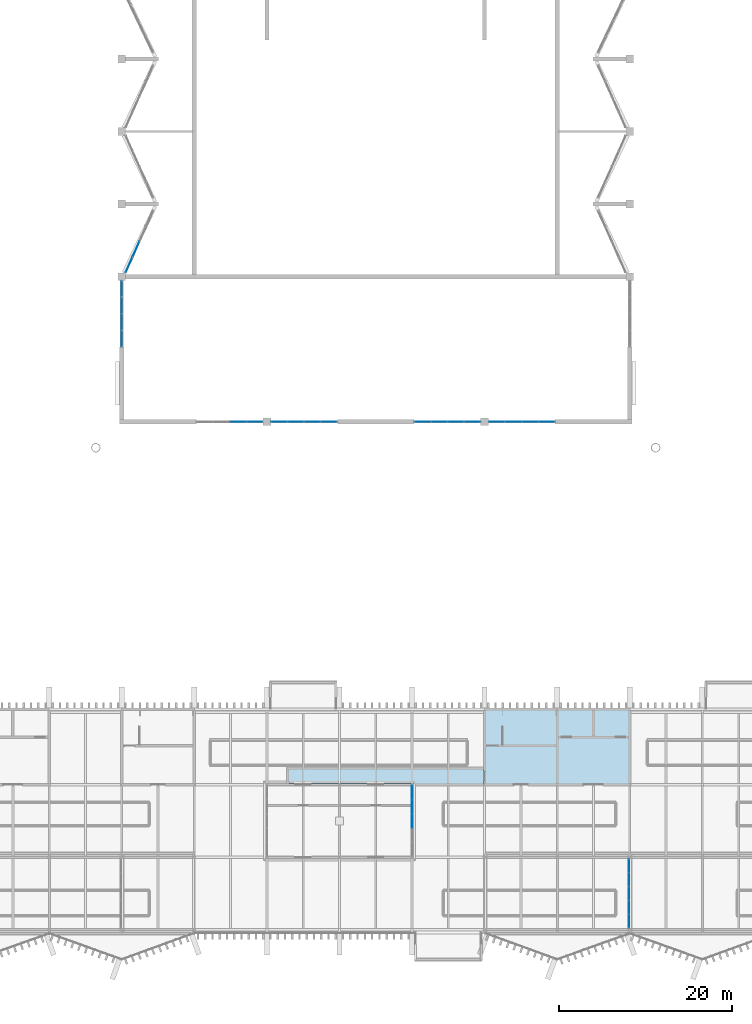
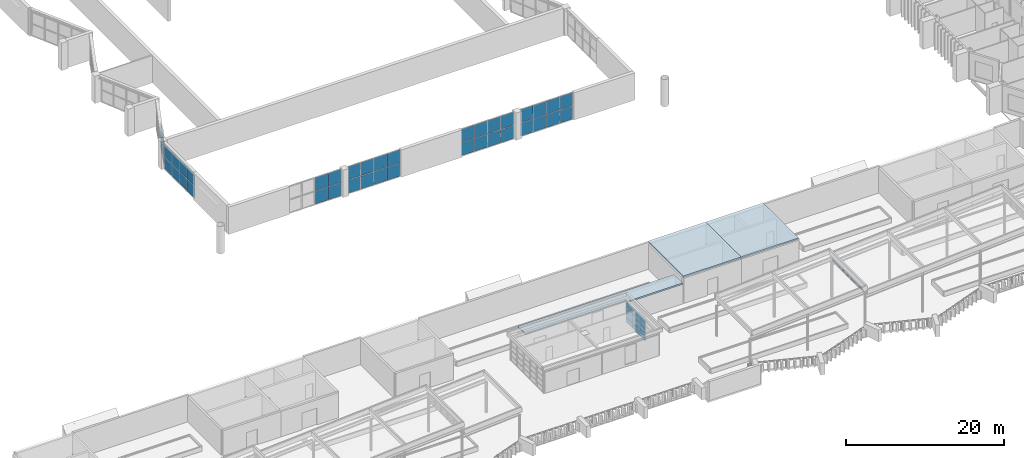
# One storey, part 29 of 51: 62 plates, 3 slabs, 8 elements without a shape of their own.
"""IFC4 building model written with IfcOpenShell, lengths in metres."""

from ifc_helpers import new_model, si_unit, direction, frame, origin, origin_2d, place, context, subcontext, project, spatial, polyline, rectangle, outline, extrude, material, layer, layer_set, type_object, element, aggregate, save


model = new_model("IFC4")

# Units and contexts
model_context = context("Model", 3, precision=1e-05, world=origin(), true_north=direction((0.0, 1.0)))
body_context = subcontext(model_context, "Body", "Model", "MODEL_VIEW")
ifc_project = project(units=[si_unit("LENGTHUNIT", "METRE"), si_unit("AREAUNIT", "SQUARE_METRE"), si_unit("VOLUMEUNIT", "CUBIC_METRE"), si_unit("PLANEANGLEUNIT", "RADIAN"), si_unit("MASSUNIT", "GRAM", prefix="KILO")], contexts=[model_context])

# Site, building, storey
site_placement = place(None, origin())
site = spatial("IfcSite", under=ifc_project, at=site_placement, CompositionType="ELEMENT")
building_placement = place(site_placement, origin())
building = spatial("IfcBuilding", under=site, at=building_placement, Name="Cresset Court Congress Hotel", CompositionType="ELEMENT")
storey_placement = place(building_placement, frame((0.0, 0.0, 18.60009765625)))
storey = spatial("IfcBuildingStorey", under=building, at=storey_placement, Name="L04", CompositionType="ELEMENT", Elevation=18.60009765625)

# Curtain wall, plates
ifc_material_1 = material(Name="Aluminium frame with double glazing", Category="aluminium")
ifc_layer_1 = layer(ifc_material_1, 0.199951171875)
ifc_layer_set_1 = layer_set([ifc_layer_1], Name="Glazed box curtain wall 1680 module")
curtain_wall_type_1 = type_object("IfcCurtainWallType", Name="Glazed box curtain wall 1680 module", PredefinedType="NOTDEFINED", material=ifc_layer_set_1)
curtain_wall_1_placement = place(storey_placement, origin())
curtain_wall_1 = element("IfcCurtainWall", 1, at=curtain_wall_1_placement, inside=storey, type_object=curtain_wall_type_1, Name="Roof light face 4", PredefinedType="NOTDEFINED")
ifc_material_2 = material(Name="Toughened double glazing", Category="glass")
ifc_layer_2 = layer(ifc_material_2, 0.028076171875)
ifc_layer_set_2 = layer_set([ifc_layer_2], Name="Box glass panel 28")
plate_type_1 = type_object("IfcPlateType", Name="Box glass panel 28", PredefinedType="CURTAIN_PANEL", material=ifc_layer_set_2)
plate_1_placement = place(storey_placement, frame((117.5, 1.014892578125, 5.9599609375), z_axis=(0.0, 0.0, 1.0), x_axis=(0.0, 1.0, 0.0)))
plate_1 = element("IfcPlate", 2, at=plate_1_placement, type_object=plate_type_1, Name="B-X1 panel 1.1", PredefinedType="CURTAIN_PANEL", context=body_context, shape_type="SweptSolid", body=[
    extrude(rectangle(XDim=1.510009765625, YDim=0.028076171875, at=origin_2d()), origin(), (0.0, 0.0, 1.0), 0.097900390625),
])
plate_2_placement = place(storey_placement, frame((117.5, 1.014892578125, 6.1181640625), z_axis=(0.0, 0.0, 1.0), x_axis=(0.0, 1.0, 0.0)))
plate_2 = element("IfcPlate", 3, at=plate_2_placement, type_object=plate_type_1, Name="B-X1 panel 1.2", PredefinedType="CURTAIN_PANEL", context=body_context, shape_type="SweptSolid", body=[
    extrude(rectangle(XDim=1.510009765625, YDim=0.028076171875, at=origin_2d()), origin(), (0.0, 0.0, 1.0), 0.097900390625),
])
plate_3_placement = place(storey_placement, frame((117.5, 2.60009765625, 5.9599609375), z_axis=(0.0, 0.0, 1.0), x_axis=(0.0, 1.0, 0.0)))
plate_3 = element("IfcPlate", 4, at=plate_3_placement, type_object=plate_type_1, Name="B-X1 panel 2.1", PredefinedType="CURTAIN_PANEL", context=body_context, shape_type="SweptSolid", body=[
    extrude(rectangle(XDim=1.5400390625, YDim=0.028076171875, at=origin_2d()), origin(), (0.0, 0.0, 1.0), 0.097900390625),
])
plate_4_placement = place(storey_placement, frame((117.5, 2.60009765625, 6.1181640625), z_axis=(0.0, 0.0, 1.0), x_axis=(0.0, 1.0, 0.0)))
plate_4 = element("IfcPlate", 5, at=plate_4_placement, type_object=plate_type_1, Name="B-X1 panel 2.2", PredefinedType="CURTAIN_PANEL", context=body_context, shape_type="SweptSolid", body=[
    extrude(rectangle(XDim=1.5400390625, YDim=0.028076171875, at=origin_2d()), origin(), (0.0, 0.0, 1.0), 0.097900390625),
])
plate_5_placement = place(storey_placement, frame((117.5, 4.199951171875, 5.9599609375), z_axis=(0.0, 0.0, 1.0), x_axis=(0.0, 1.0, 0.0)))
plate_5 = element("IfcPlate", 6, at=plate_5_placement, type_object=plate_type_1, Name="B-X1 panel 3.1", PredefinedType="CURTAIN_PANEL", context=body_context, shape_type="SweptSolid", body=[
    extrude(rectangle(XDim=1.5400390625, YDim=0.028076171875, at=origin_2d()), origin(), (0.0, 0.0, 1.0), 0.097900390625),
])
plate_6_placement = place(storey_placement, frame((117.5, 4.199951171875, 6.1181640625), z_axis=(0.0, 0.0, 1.0), x_axis=(0.0, 1.0, 0.0)))
plate_6 = element("IfcPlate", 7, at=plate_6_placement, type_object=plate_type_1, Name="B-X1 panel 3.2", PredefinedType="CURTAIN_PANEL", context=body_context, shape_type="SweptSolid", body=[
    extrude(rectangle(XDim=1.5400390625, YDim=0.028076171875, at=origin_2d()), origin(), (0.0, 0.0, 1.0), 0.097900390625),
])
plate_7_placement = place(storey_placement, frame((117.5, 5.800048828125, 5.9599609375), z_axis=(0.0, 0.0, 1.0), x_axis=(0.0, 1.0, 0.0)))
plate_7 = element("IfcPlate", 8, at=plate_7_placement, type_object=plate_type_1, Name="B-X1 panel 4.1", PredefinedType="CURTAIN_PANEL", context=body_context, shape_type="SweptSolid", body=[
    extrude(rectangle(XDim=1.5400390625, YDim=0.028076171875, at=origin_2d()), origin(), (0.0, 0.0, 1.0), 0.097900390625),
])
plate_8_placement = place(storey_placement, frame((117.5, 5.800048828125, 6.1181640625), z_axis=(0.0, 0.0, 1.0), x_axis=(0.0, 1.0, 0.0)))
plate_8 = element("IfcPlate", 9, at=plate_8_placement, type_object=plate_type_1, Name="B-X1 panel 4.2", PredefinedType="CURTAIN_PANEL", context=body_context, shape_type="SweptSolid", body=[
    extrude(rectangle(XDim=1.5400390625, YDim=0.028076171875, at=origin_2d()), origin(), (0.0, 0.0, 1.0), 0.097900390625),
])
plate_9_placement = place(storey_placement, frame((117.5, 7.385009765625, 5.9599609375), z_axis=(0.0, 0.0, 1.0), x_axis=(0.0, 1.0, 0.0)))
plate_9 = element("IfcPlate", 10, at=plate_9_placement, type_object=plate_type_1, Name="B-X1 panel 5.1", PredefinedType="CURTAIN_PANEL", context=body_context, shape_type="SweptSolid", body=[
    extrude(rectangle(XDim=1.510009765625, YDim=0.028076171875, at=origin_2d()), origin(), (0.0, 0.0, 1.0), 0.097900390625),
])
plate_10_placement = place(storey_placement, frame((117.5, 7.385009765625, 6.1181640625), z_axis=(0.0, 0.0, 1.0), x_axis=(0.0, 1.0, 0.0)))
plate_10 = element("IfcPlate", 11, at=plate_10_placement, type_object=plate_type_1, Name="B-X1 panel 5.2", PredefinedType="CURTAIN_PANEL", context=body_context, shape_type="SweptSolid", body=[
    extrude(rectangle(XDim=1.510009765625, YDim=0.028076171875, at=origin_2d()), origin(), (0.0, 0.0, 1.0), 0.097900390625),
])
aggregate(curtain_wall_1, [plate_1, plate_2, plate_3, plate_4, plate_5, plate_6, plate_7, plate_8, plate_9, plate_10])

ifc_material_3 = material(Name="Aluminium frame with double glazing", Category="aluminium")
ifc_layer_3 = layer(ifc_material_3, 0.199951171875)
ifc_layer_set_3 = layer_set([ifc_layer_3], Name="Pavilion curtain wall 1680 module")
curtain_wall_type_2 = type_object("IfcCurtainWallType", Name="Pavilion curtain wall 1680 module", PredefinedType="NOTDEFINED", material=ifc_layer_set_3)
curtain_wall_2_placement = place(storey_placement, origin())
curtain_wall_2 = element("IfcCurtainWall", 12, at=curtain_wall_2_placement, inside=storey, type_object=curtain_wall_type_2, Name="Pavilion glazed front E", PredefinedType="NOTDEFINED")
plate_11_placement = place(storey_placement, frame((92.39990234375, 12.60009765625, 0.06005859375), z_axis=(0.0, 0.0, 1.0), x_axis=(0.0, 1.0, 0.0)))
plate_11 = element("IfcPlate", 13, at=plate_11_placement, type_object=plate_type_1, Name="B-X2 panel 3.1", PredefinedType="CURTAIN_PANEL", context=body_context, shape_type="SweptSolid", body=[
    extrude(rectangle(XDim=1.58642578125, YDim=0.028076171875, at=origin_2d()), origin(), (0.0, 0.0, 1.0), 0.723388671875),
])
plate_12_placement = place(storey_placement, frame((92.39990234375, 12.60009765625, 0.843505859375), z_axis=(0.0, 0.0, 1.0), x_axis=(0.0, 1.0, 0.0)))
plate_12 = element("IfcPlate", 14, at=plate_12_placement, type_object=plate_type_1, Name="B-X2 panel 3.2", PredefinedType="CURTAIN_PANEL", context=body_context, shape_type="SweptSolid", body=[
    extrude(rectangle(XDim=1.58642578125, YDim=0.028076171875, at=origin_2d()), origin(), (0.0, 0.0, 1.0), 0.75341796875),
])
plate_13_placement = place(storey_placement, frame((92.39990234375, 12.60009765625, 1.656982421875), z_axis=(0.0, 0.0, 1.0), x_axis=(0.0, 1.0, 0.0)))
plate_13 = element("IfcPlate", 15, at=plate_13_placement, type_object=plate_type_1, Name="B-X2 panel 3.3", PredefinedType="CURTAIN_PANEL", context=body_context, shape_type="SweptSolid", body=[
    extrude(rectangle(XDim=1.58642578125, YDim=0.028076171875, at=origin_2d()), origin(), (0.0, 0.0, 1.0), 0.75341796875),
])
plate_14_placement = place(storey_placement, frame((92.39990234375, 12.60009765625, 2.47021484375), z_axis=(0.0, 0.0, 1.0), x_axis=(0.0, 1.0, 0.0)))
plate_14 = element("IfcPlate", 16, at=plate_14_placement, type_object=plate_type_1, Name="B-X2 panel 3.4", PredefinedType="CURTAIN_PANEL", context=body_context, shape_type="SweptSolid", body=[
    extrude(rectangle(XDim=1.58642578125, YDim=0.028076171875, at=origin_2d()), origin(), (0.0, 0.0, 1.0), 0.723388671875),
])
plate_15_placement = place(storey_placement, frame((92.39990234375, 14.246337890625, 0.06005859375), z_axis=(0.0, 0.0, 1.0), x_axis=(0.0, 1.0, 0.0)))
plate_15 = element("IfcPlate", 17, at=plate_15_placement, type_object=plate_type_1, Name="B-X2 panel 4.1", PredefinedType="CURTAIN_PANEL", context=body_context, shape_type="SweptSolid", body=[
    extrude(rectangle(XDim=1.58642578125, YDim=0.028076171875, at=origin_2d()), origin(), (0.0, 0.0, 1.0), 0.723388671875),
])
plate_16_placement = place(storey_placement, frame((92.39990234375, 14.246337890625, 0.843505859375), z_axis=(0.0, 0.0, 1.0), x_axis=(0.0, 1.0, 0.0)))
plate_16 = element("IfcPlate", 18, at=plate_16_placement, type_object=plate_type_1, Name="B-X2 panel 4.2", PredefinedType="CURTAIN_PANEL", context=body_context, shape_type="SweptSolid", body=[
    extrude(rectangle(XDim=1.58642578125, YDim=0.028076171875, at=origin_2d()), origin(), (0.0, 0.0, 1.0), 0.75341796875),
])
plate_17_placement = place(storey_placement, frame((92.39990234375, 14.246337890625, 1.656982421875), z_axis=(0.0, 0.0, 1.0), x_axis=(0.0, 1.0, 0.0)))
plate_17 = element("IfcPlate", 19, at=plate_17_placement, type_object=plate_type_1, Name="B-X2 panel 4.3", PredefinedType="CURTAIN_PANEL", context=body_context, shape_type="SweptSolid", body=[
    extrude(rectangle(XDim=1.58642578125, YDim=0.028076171875, at=origin_2d()), origin(), (0.0, 0.0, 1.0), 0.75341796875),
])
plate_18_placement = place(storey_placement, frame((92.39990234375, 14.246337890625, 2.47021484375), z_axis=(0.0, 0.0, 1.0), x_axis=(0.0, 1.0, 0.0)))
plate_18 = element("IfcPlate", 20, at=plate_18_placement, type_object=plate_type_1, Name="B-X2 panel 4.4", PredefinedType="CURTAIN_PANEL", context=body_context, shape_type="SweptSolid", body=[
    extrude(rectangle(XDim=1.58642578125, YDim=0.028076171875, at=origin_2d()), origin(), (0.0, 0.0, 1.0), 0.723388671875),
])
plate_19_placement = place(storey_placement, frame((92.39990234375, 15.877685546875, 0.06005859375), z_axis=(0.0, 0.0, 1.0), x_axis=(0.0, 1.0, 0.0)))
plate_19 = element("IfcPlate", 21, at=plate_19_placement, type_object=plate_type_1, Name="B-X2 panel 5.1", PredefinedType="CURTAIN_PANEL", context=body_context, shape_type="SweptSolid", body=[
    extrude(rectangle(XDim=1.556396484375, YDim=0.028076171875, at=origin_2d()), origin(), (0.0, 0.0, 1.0), 0.723388671875),
])
plate_20_placement = place(storey_placement, frame((92.39990234375, 15.877685546875, 0.843505859375), z_axis=(0.0, 0.0, 1.0), x_axis=(0.0, 1.0, 0.0)))
plate_20 = element("IfcPlate", 22, at=plate_20_placement, type_object=plate_type_1, Name="B-X2 panel 5.2", PredefinedType="CURTAIN_PANEL", context=body_context, shape_type="SweptSolid", body=[
    extrude(rectangle(XDim=1.556396484375, YDim=0.028076171875, at=origin_2d()), origin(), (0.0, 0.0, 1.0), 0.75341796875),
])
plate_21_placement = place(storey_placement, frame((92.39990234375, 15.877685546875, 1.656982421875), z_axis=(0.0, 0.0, 1.0), x_axis=(0.0, 1.0, 0.0)))
plate_21 = element("IfcPlate", 23, at=plate_21_placement, type_object=plate_type_1, Name="B-X2 panel 5.3", PredefinedType="CURTAIN_PANEL", context=body_context, shape_type="SweptSolid", body=[
    extrude(rectangle(XDim=1.556396484375, YDim=0.028076171875, at=origin_2d()), origin(), (0.0, 0.0, 1.0), 0.75341796875),
])
plate_22_placement = place(storey_placement, frame((92.39990234375, 15.877685546875, 2.47021484375), z_axis=(0.0, 0.0, 1.0), x_axis=(0.0, 1.0, 0.0)))
plate_22 = element("IfcPlate", 24, at=plate_22_placement, type_object=plate_type_1, Name="B-X2 panel 5.4", PredefinedType="CURTAIN_PANEL", context=body_context, shape_type="SweptSolid", body=[
    extrude(rectangle(XDim=1.556396484375, YDim=0.028076171875, at=origin_2d()), origin(), (0.0, 0.0, 1.0), 0.723388671875),
])
aggregate(curtain_wall_2, [plate_11, plate_12, plate_13, plate_14, plate_15, plate_16, plate_17, plate_18, plate_19, plate_20, plate_21, plate_22])

ifc_material_4 = material(Name="Aluminium and glass", Category="aluminium")
ifc_layer_4 = layer(ifc_material_4, 0.199951171875)
ifc_layer_set_4 = layer_set([ifc_layer_4], Name="Clerestory curtain wall 1925 module")
curtain_wall_type_3 = type_object("IfcCurtainWallType", Name="Clerestory curtain wall 1925 module", PredefinedType="NOTDEFINED", material=ifc_layer_set_4)
curtain_wall_3_placement = place(storey_placement, origin())
curtain_wall_3 = element("IfcCurtainWall", 25, at=curtain_wall_3_placement, inside=storey, type_object=curtain_wall_type_3, Name="Clerestory CX-04S1", PredefinedType="NOTDEFINED")
ifc_material_5 = material(Name="Laminated glass", Category="glass")
ifc_layer_5 = layer(ifc_material_5, 0.028076171875)
ifc_layer_set_5 = layer_set([ifc_layer_5], Name="Curtain wall glass panel 28")
plate_type_2 = type_object("IfcPlateType", Name="Curtain wall glass panel 28", PredefinedType="CURTAIN_PANEL", material=ifc_layer_set_5)
plate_23_placement = place(storey_placement, frame((72.262451171875, 58.800048828125, 0.06005859375), z_axis=(0.0, 0.0, 1.0), x_axis=(1.0, 0.0, 0.0)))
plate_23 = element("IfcPlate", 26, at=plate_23_placement, type_object=plate_type_2, Name="C-X5 panel 3.1", PredefinedType="CURTAIN_PANEL", context=body_context, shape_type="SweptSolid", body=[
    extrude(rectangle(XDim=1.864990234375, YDim=0.028076171875, at=origin_2d()), origin(), (0.0, 0.0, 1.0), 2.010009765625),
])
plate_24_placement = place(storey_placement, frame((72.262451171875, 58.800048828125, 2.1298828125), z_axis=(0.0, 0.0, 1.0), x_axis=(1.0, 0.0, 0.0)))
plate_24 = element("IfcPlate", 27, at=plate_24_placement, type_object=plate_type_2, Name="C-X5 panel 3.2", PredefinedType="CURTAIN_PANEL", context=body_context, shape_type="SweptSolid", body=[
    extrude(rectangle(XDim=1.864990234375, YDim=0.028076171875, at=origin_2d()), origin(), (0.0, 0.0, 1.0), 2.010009765625),
])
plate_25_placement = place(storey_placement, frame((74.172607421875, 58.800048828125, 0.06005859375), z_axis=(0.0, 0.0, 1.0), x_axis=(1.0, 0.0, 0.0)))
plate_25 = element("IfcPlate", 28, at=plate_25_placement, type_object=plate_type_2, Name="C-X5 panel 4.1", PredefinedType="CURTAIN_PANEL", context=body_context, shape_type="SweptSolid", body=[
    extrude(rectangle(XDim=1.8349609375, YDim=0.028076171875, at=origin_2d()), origin(), (0.0, 0.0, 1.0), 2.010009765625),
])
plate_26_placement = place(storey_placement, frame((74.172607421875, 58.800048828125, 2.1298828125), z_axis=(0.0, 0.0, 1.0), x_axis=(1.0, 0.0, 0.0)))
plate_26 = element("IfcPlate", 29, at=plate_26_placement, type_object=plate_type_2, Name="C-X5 panel 4.2", PredefinedType="CURTAIN_PANEL", context=body_context, shape_type="SweptSolid", body=[
    extrude(rectangle(XDim=1.8349609375, YDim=0.028076171875, at=origin_2d()), origin(), (0.0, 0.0, 1.0), 2.010009765625),
])
aggregate(curtain_wall_3, [plate_23, plate_24, plate_25, plate_26])

curtain_wall_4_placement = place(storey_placement, origin())
curtain_wall_4 = element("IfcCurtainWall", 30, at=curtain_wall_4_placement, inside=storey, type_object=curtain_wall_type_3, Name="Clerestory CX-04S2", PredefinedType="NOTDEFINED")
plate_27_placement = place(storey_placement, frame((77.027587890625, 58.800048828125, 0.06005859375), z_axis=(0.0, 0.0, 1.0), x_axis=(1.0, 0.0, 0.0)))
plate_27 = element("IfcPlate", 31, at=plate_27_placement, type_object=plate_type_2, Name="C-X5 panel 1.1", PredefinedType="CURTAIN_PANEL", context=body_context, shape_type="SweptSolid", body=[
    extrude(rectangle(XDim=1.8349609375, YDim=0.028076171875, at=origin_2d()), origin(), (0.0, 0.0, 1.0), 2.010009765625),
])
plate_28_placement = place(storey_placement, frame((77.027587890625, 58.800048828125, 2.1298828125), z_axis=(0.0, 0.0, 1.0), x_axis=(1.0, 0.0, 0.0)))
plate_28 = element("IfcPlate", 32, at=plate_28_placement, type_object=plate_type_2, Name="C-X5 panel 1.2", PredefinedType="CURTAIN_PANEL", context=body_context, shape_type="SweptSolid", body=[
    extrude(rectangle(XDim=1.8349609375, YDim=0.028076171875, at=origin_2d()), origin(), (0.0, 0.0, 1.0), 2.010009765625),
])
plate_29_placement = place(storey_placement, frame((78.9375, 58.800048828125, 0.06005859375), z_axis=(0.0, 0.0, 1.0), x_axis=(1.0, 0.0, 0.0)))
plate_29 = element("IfcPlate", 33, at=plate_29_placement, type_object=plate_type_2, Name="C-X5 panel 2.1", PredefinedType="CURTAIN_PANEL", context=body_context, shape_type="SweptSolid", body=[
    extrude(rectangle(XDim=1.864990234375, YDim=0.028076171875, at=origin_2d()), origin(), (0.0, 0.0, 1.0), 2.010009765625),
])
plate_30_placement = place(storey_placement, frame((78.9375, 58.800048828125, 2.1298828125), z_axis=(0.0, 0.0, 1.0), x_axis=(1.0, 0.0, 0.0)))
plate_30 = element("IfcPlate", 34, at=plate_30_placement, type_object=plate_type_2, Name="C-X5 panel 2.2", PredefinedType="CURTAIN_PANEL", context=body_context, shape_type="SweptSolid", body=[
    extrude(rectangle(XDim=1.864990234375, YDim=0.028076171875, at=origin_2d()), origin(), (0.0, 0.0, 1.0), 2.010009765625),
])
plate_31_placement = place(storey_placement, frame((80.862548828125, 58.800048828125, 0.06005859375), z_axis=(0.0, 0.0, 1.0), x_axis=(1.0, 0.0, 0.0)))
plate_31 = element("IfcPlate", 35, at=plate_31_placement, type_object=plate_type_2, Name="C-X5 panel 3.1", PredefinedType="CURTAIN_PANEL", context=body_context, shape_type="SweptSolid", body=[
    extrude(rectangle(XDim=1.864990234375, YDim=0.028076171875, at=origin_2d()), origin(), (0.0, 0.0, 1.0), 2.010009765625),
])
plate_32_placement = place(storey_placement, frame((80.862548828125, 58.800048828125, 2.1298828125), z_axis=(0.0, 0.0, 1.0), x_axis=(1.0, 0.0, 0.0)))
plate_32 = element("IfcPlate", 36, at=plate_32_placement, type_object=plate_type_2, Name="C-X5 panel 3.2", PredefinedType="CURTAIN_PANEL", context=body_context, shape_type="SweptSolid", body=[
    extrude(rectangle(XDim=1.864990234375, YDim=0.028076171875, at=origin_2d()), origin(), (0.0, 0.0, 1.0), 2.010009765625),
])
plate_33_placement = place(storey_placement, frame((82.7724609375, 58.800048828125, 0.06005859375), z_axis=(0.0, 0.0, 1.0), x_axis=(1.0, 0.0, 0.0)))
plate_33 = element("IfcPlate", 37, at=plate_33_placement, type_object=plate_type_2, Name="C-X5 panel 4.1", PredefinedType="CURTAIN_PANEL", context=body_context, shape_type="SweptSolid", body=[
    extrude(rectangle(XDim=1.8349609375, YDim=0.028076171875, at=origin_2d()), origin(), (0.0, 0.0, 1.0), 2.010009765625),
])
plate_34_placement = place(storey_placement, frame((82.7724609375, 58.800048828125, 2.1298828125), z_axis=(0.0, 0.0, 1.0), x_axis=(1.0, 0.0, 0.0)))
plate_34 = element("IfcPlate", 38, at=plate_34_placement, type_object=plate_type_2, Name="C-X5 panel 4.2", PredefinedType="CURTAIN_PANEL", context=body_context, shape_type="SweptSolid", body=[
    extrude(rectangle(XDim=1.8349609375, YDim=0.028076171875, at=origin_2d()), origin(), (0.0, 0.0, 1.0), 2.010009765625),
])
aggregate(curtain_wall_4, [plate_27, plate_28, plate_29, plate_30, plate_31, plate_32, plate_33, plate_34])

curtain_wall_5_placement = place(storey_placement, origin())
curtain_wall_5 = element("IfcCurtainWall", 39, at=curtain_wall_5_placement, inside=storey, type_object=curtain_wall_type_3, Name="Clerestory CX-04S3", PredefinedType="NOTDEFINED")
plate_35_placement = place(storey_placement, frame((93.62744140625, 58.800048828125, 0.06005859375), z_axis=(0.0, 0.0, 1.0), x_axis=(1.0, 0.0, 0.0)))
plate_35 = element("IfcPlate", 40, at=plate_35_placement, type_object=plate_type_2, Name="C-X5 panel 1.1", PredefinedType="CURTAIN_PANEL", context=body_context, shape_type="SweptSolid", body=[
    extrude(rectangle(XDim=1.8349609375, YDim=0.028076171875, at=origin_2d()), origin(), (0.0, 0.0, 1.0), 2.010009765625),
])
plate_36_placement = place(storey_placement, frame((93.62744140625, 58.800048828125, 2.1298828125), z_axis=(0.0, 0.0, 1.0), x_axis=(1.0, 0.0, 0.0)))
plate_36 = element("IfcPlate", 41, at=plate_36_placement, type_object=plate_type_2, Name="C-X5 panel 1.2", PredefinedType="CURTAIN_PANEL", context=body_context, shape_type="SweptSolid", body=[
    extrude(rectangle(XDim=1.8349609375, YDim=0.028076171875, at=origin_2d()), origin(), (0.0, 0.0, 1.0), 2.010009765625),
])
plate_37_placement = place(storey_placement, frame((95.53759765625, 58.800048828125, 0.06005859375), z_axis=(0.0, 0.0, 1.0), x_axis=(1.0, 0.0, 0.0)))
plate_37 = element("IfcPlate", 42, at=plate_37_placement, type_object=plate_type_2, Name="C-X5 panel 2.1", PredefinedType="CURTAIN_PANEL", context=body_context, shape_type="SweptSolid", body=[
    extrude(rectangle(XDim=1.864990234375, YDim=0.028076171875, at=origin_2d()), origin(), (0.0, 0.0, 1.0), 2.010009765625),
])
plate_38_placement = place(storey_placement, frame((95.53759765625, 58.800048828125, 2.1298828125), z_axis=(0.0, 0.0, 1.0), x_axis=(1.0, 0.0, 0.0)))
plate_38 = element("IfcPlate", 43, at=plate_38_placement, type_object=plate_type_2, Name="C-X5 panel 2.2", PredefinedType="CURTAIN_PANEL", context=body_context, shape_type="SweptSolid", body=[
    extrude(rectangle(XDim=1.864990234375, YDim=0.028076171875, at=origin_2d()), origin(), (0.0, 0.0, 1.0), 2.010009765625),
])
plate_39_placement = place(storey_placement, frame((97.46240234375, 58.800048828125, 0.06005859375), z_axis=(0.0, 0.0, 1.0), x_axis=(1.0, 0.0, 0.0)))
plate_39 = element("IfcPlate", 44, at=plate_39_placement, type_object=plate_type_2, Name="C-X5 panel 3.1", PredefinedType="CURTAIN_PANEL", context=body_context, shape_type="SweptSolid", body=[
    extrude(rectangle(XDim=1.864990234375, YDim=0.028076171875, at=origin_2d()), origin(), (0.0, 0.0, 1.0), 2.010009765625),
])
plate_40_placement = place(storey_placement, frame((97.46240234375, 58.800048828125, 2.1298828125), z_axis=(0.0, 0.0, 1.0), x_axis=(1.0, 0.0, 0.0)))
plate_40 = element("IfcPlate", 45, at=plate_40_placement, type_object=plate_type_2, Name="C-X5 panel 3.2", PredefinedType="CURTAIN_PANEL", context=body_context, shape_type="SweptSolid", body=[
    extrude(rectangle(XDim=1.864990234375, YDim=0.028076171875, at=origin_2d()), origin(), (0.0, 0.0, 1.0), 2.010009765625),
])
plate_41_placement = place(storey_placement, frame((99.37255859375, 58.800048828125, 0.06005859375), z_axis=(0.0, 0.0, 1.0), x_axis=(1.0, 0.0, 0.0)))
plate_41 = element("IfcPlate", 46, at=plate_41_placement, type_object=plate_type_2, Name="C-X5 panel 4.1", PredefinedType="CURTAIN_PANEL", context=body_context, shape_type="SweptSolid", body=[
    extrude(rectangle(XDim=1.8349609375, YDim=0.028076171875, at=origin_2d()), origin(), (0.0, 0.0, 1.0), 2.010009765625),
])
plate_42_placement = place(storey_placement, frame((99.37255859375, 58.800048828125, 2.1298828125), z_axis=(0.0, 0.0, 1.0), x_axis=(1.0, 0.0, 0.0)))
plate_42 = element("IfcPlate", 47, at=plate_42_placement, type_object=plate_type_2, Name="C-X5 panel 4.2", PredefinedType="CURTAIN_PANEL", context=body_context, shape_type="SweptSolid", body=[
    extrude(rectangle(XDim=1.8349609375, YDim=0.028076171875, at=origin_2d()), origin(), (0.0, 0.0, 1.0), 2.010009765625),
])
aggregate(curtain_wall_5, [plate_35, plate_36, plate_37, plate_38, plate_39, plate_40, plate_41, plate_42])

curtain_wall_6_placement = place(storey_placement, origin())
curtain_wall_6 = element("IfcCurtainWall", 48, at=curtain_wall_6_placement, inside=storey, type_object=curtain_wall_type_3, Name="Clerestory CX-04S4", PredefinedType="NOTDEFINED")
plate_43_placement = place(storey_placement, frame((102.2275390625, 58.800048828125, 0.06005859375), z_axis=(0.0, 0.0, 1.0), x_axis=(1.0, 0.0, 0.0)))
plate_43 = element("IfcPlate", 49, at=plate_43_placement, type_object=plate_type_2, Name="C-X5 panel 1.1", PredefinedType="CURTAIN_PANEL", context=body_context, shape_type="SweptSolid", body=[
    extrude(rectangle(XDim=1.8349609375, YDim=0.028076171875, at=origin_2d()), origin(), (0.0, 0.0, 1.0), 2.010009765625),
])
plate_44_placement = place(storey_placement, frame((102.2275390625, 58.800048828125, 2.1298828125), z_axis=(0.0, 0.0, 1.0), x_axis=(1.0, 0.0, 0.0)))
plate_44 = element("IfcPlate", 50, at=plate_44_placement, type_object=plate_type_2, Name="C-X5 panel 1.2", PredefinedType="CURTAIN_PANEL", context=body_context, shape_type="SweptSolid", body=[
    extrude(rectangle(XDim=1.8349609375, YDim=0.028076171875, at=origin_2d()), origin(), (0.0, 0.0, 1.0), 2.010009765625),
])
plate_45_placement = place(storey_placement, frame((104.137451171875, 58.800048828125, 0.06005859375), z_axis=(0.0, 0.0, 1.0), x_axis=(1.0, 0.0, 0.0)))
plate_45 = element("IfcPlate", 51, at=plate_45_placement, type_object=plate_type_2, Name="C-X5 panel 2.1", PredefinedType="CURTAIN_PANEL", context=body_context, shape_type="SweptSolid", body=[
    extrude(rectangle(XDim=1.864990234375, YDim=0.028076171875, at=origin_2d()), origin(), (0.0, 0.0, 1.0), 2.010009765625),
])
plate_46_placement = place(storey_placement, frame((104.137451171875, 58.800048828125, 2.1298828125), z_axis=(0.0, 0.0, 1.0), x_axis=(1.0, 0.0, 0.0)))
plate_46 = element("IfcPlate", 52, at=plate_46_placement, type_object=plate_type_2, Name="C-X5 panel 2.2", PredefinedType="CURTAIN_PANEL", context=body_context, shape_type="SweptSolid", body=[
    extrude(rectangle(XDim=1.864990234375, YDim=0.028076171875, at=origin_2d()), origin(), (0.0, 0.0, 1.0), 2.010009765625),
])
plate_47_placement = place(storey_placement, frame((106.0625, 58.800048828125, 0.06005859375), z_axis=(0.0, 0.0, 1.0), x_axis=(1.0, 0.0, 0.0)))
plate_47 = element("IfcPlate", 53, at=plate_47_placement, type_object=plate_type_2, Name="C-X5 panel 3.1", PredefinedType="CURTAIN_PANEL", context=body_context, shape_type="SweptSolid", body=[
    extrude(rectangle(XDim=1.864990234375, YDim=0.028076171875, at=origin_2d()), origin(), (0.0, 0.0, 1.0), 2.010009765625),
])
plate_48_placement = place(storey_placement, frame((106.0625, 58.800048828125, 2.1298828125), z_axis=(0.0, 0.0, 1.0), x_axis=(1.0, 0.0, 0.0)))
plate_48 = element("IfcPlate", 54, at=plate_48_placement, type_object=plate_type_2, Name="C-X5 panel 3.2", PredefinedType="CURTAIN_PANEL", context=body_context, shape_type="SweptSolid", body=[
    extrude(rectangle(XDim=1.864990234375, YDim=0.028076171875, at=origin_2d()), origin(), (0.0, 0.0, 1.0), 2.010009765625),
])
plate_49_placement = place(storey_placement, frame((107.972412109375, 58.800048828125, 0.06005859375), z_axis=(0.0, 0.0, 1.0), x_axis=(1.0, 0.0, 0.0)))
plate_49 = element("IfcPlate", 55, at=plate_49_placement, type_object=plate_type_2, Name="C-X5 panel 4.1", PredefinedType="CURTAIN_PANEL", context=body_context, shape_type="SweptSolid", body=[
    extrude(rectangle(XDim=1.8349609375, YDim=0.028076171875, at=origin_2d()), origin(), (0.0, 0.0, 1.0), 2.010009765625),
])
plate_50_placement = place(storey_placement, frame((107.972412109375, 58.800048828125, 2.1298828125), z_axis=(0.0, 0.0, 1.0), x_axis=(1.0, 0.0, 0.0)))
plate_50 = element("IfcPlate", 56, at=plate_50_placement, type_object=plate_type_2, Name="C-X5 panel 4.2", PredefinedType="CURTAIN_PANEL", context=body_context, shape_type="SweptSolid", body=[
    extrude(rectangle(XDim=1.8349609375, YDim=0.028076171875, at=origin_2d()), origin(), (0.0, 0.0, 1.0), 2.010009765625),
])
aggregate(curtain_wall_6, [plate_43, plate_44, plate_45, plate_46, plate_47, plate_48, plate_49, plate_50])

curtain_wall_7_placement = place(storey_placement, origin())
curtain_wall_7 = element("IfcCurtainWall", 57, at=curtain_wall_7_placement, inside=storey, type_object=curtain_wall_type_3, Name="Clerestory CX-04W4", PredefinedType="NOTDEFINED")
plate_51_placement = place(storey_placement, frame((60.447265625, 78.75, 0.06005859375), z_axis=(0.0, 0.0, 1.0), x_axis=(-0.405381009298, -0.914147820268, 0.0)))
plate_51 = element("IfcPlate", 58, at=plate_51_placement, type_object=plate_type_2, Name="C-X5 panel 3.1", PredefinedType="CURTAIN_PANEL", context=body_context, shape_type="SweptSolid", body=[
    extrude(rectangle(XDim=1.908935546875, YDim=0.028076171875, at=origin_2d()), origin(), (0.0, 0.0, 1.0), 1.781005859375),
])
plate_52_placement = place(storey_placement, frame((60.447265625, 78.75, 1.90087890625), z_axis=(0.0, 0.0, 1.0), x_axis=(-0.405381009298, -0.914147820268, 0.0)))
plate_52 = element("IfcPlate", 59, at=plate_52_placement, type_object=plate_type_2, Name="C-X5 panel 3.2", PredefinedType="CURTAIN_PANEL", context=body_context, shape_type="SweptSolid", body=[
    extrude(rectangle(XDim=1.908935546875, YDim=0.028076171875, at=origin_2d()), origin(), (0.0, 0.0, 1.0), 1.781005859375),
])
plate_53_placement = place(storey_placement, frame((59.6552734375, 76.963623046875, 0.06005859375), z_axis=(0.0, 0.0, 1.0), x_axis=(-0.405381009298, -0.914147820268, 0.0)))
plate_53 = element("IfcPlate", 60, at=plate_53_placement, type_object=plate_type_2, Name="C-X5 panel 4.1", PredefinedType="CURTAIN_PANEL", context=body_context, shape_type="SweptSolid", body=[
    extrude(rectangle(XDim=1.879150390625, YDim=0.028076171875, at=origin_2d()), origin(), (0.0, 0.0, 1.0), 1.781005859375),
])
plate_54_placement = place(storey_placement, frame((59.6552734375, 76.963623046875, 1.90087890625), z_axis=(0.0, 0.0, 1.0), x_axis=(-0.405381009298, -0.914147820268, 0.0)))
plate_54 = element("IfcPlate", 61, at=plate_54_placement, type_object=plate_type_2, Name="C-X5 panel 4.2", PredefinedType="CURTAIN_PANEL", context=body_context, shape_type="SweptSolid", body=[
    extrude(rectangle(XDim=1.879150390625, YDim=0.028076171875, at=origin_2d()), origin(), (0.0, 0.0, 1.0), 1.781005859375),
])
aggregate(curtain_wall_7, [plate_51, plate_52, plate_53, plate_54])

curtain_wall_8_placement = place(storey_placement, origin())
curtain_wall_8 = element("IfcCurtainWall", 62, at=curtain_wall_8_placement, inside=storey, type_object=curtain_wall_type_3, Name="Clerestory CX-04W5", PredefinedType="NOTDEFINED")
plate_55_placement = place(storey_placement, frame((58.800048828125, 74.172607421875, 0.06005859375), z_axis=(0.0, 0.0, 1.0), x_axis=(0.0, -1.0, 0.0)))
plate_55 = element("IfcPlate", 63, at=plate_55_placement, type_object=plate_type_2, Name="C-X5 panel 1.1", PredefinedType="CURTAIN_PANEL", context=body_context, shape_type="SweptSolid", body=[
    extrude(rectangle(XDim=1.8349609375, YDim=0.028076171875, at=origin_2d()), origin(), (0.0, 0.0, 1.0), 1.781005859375),
])
plate_56_placement = place(storey_placement, frame((58.800048828125, 74.172607421875, 1.90087890625), z_axis=(0.0, 0.0, 1.0), x_axis=(0.0, -1.0, 0.0)))
plate_56 = element("IfcPlate", 64, at=plate_56_placement, type_object=plate_type_2, Name="C-X5 panel 1.2", PredefinedType="CURTAIN_PANEL", context=body_context, shape_type="SweptSolid", body=[
    extrude(rectangle(XDim=1.8349609375, YDim=0.028076171875, at=origin_2d()), origin(), (0.0, 0.0, 1.0), 1.781005859375),
])
plate_57_placement = place(storey_placement, frame((58.800048828125, 72.262451171875, 0.06005859375), z_axis=(0.0, 0.0, 1.0), x_axis=(0.0, -1.0, 0.0)))
plate_57 = element("IfcPlate", 65, at=plate_57_placement, type_object=plate_type_2, Name="C-X5 panel 2.1", PredefinedType="CURTAIN_PANEL", context=body_context, shape_type="SweptSolid", body=[
    extrude(rectangle(XDim=1.864990234375, YDim=0.028076171875, at=origin_2d()), origin(), (0.0, 0.0, 1.0), 1.781005859375),
])
plate_58_placement = place(storey_placement, frame((58.800048828125, 72.262451171875, 1.90087890625), z_axis=(0.0, 0.0, 1.0), x_axis=(0.0, -1.0, 0.0)))
plate_58 = element("IfcPlate", 66, at=plate_58_placement, type_object=plate_type_2, Name="C-X5 panel 2.2", PredefinedType="CURTAIN_PANEL", context=body_context, shape_type="SweptSolid", body=[
    extrude(rectangle(XDim=1.864990234375, YDim=0.028076171875, at=origin_2d()), origin(), (0.0, 0.0, 1.0), 1.781005859375),
])
plate_59_placement = place(storey_placement, frame((58.800048828125, 70.33740234375, 0.06005859375), z_axis=(0.0, 0.0, 1.0), x_axis=(0.0, -1.0, 0.0)))
plate_59 = element("IfcPlate", 67, at=plate_59_placement, type_object=plate_type_2, Name="C-X5 panel 3.1", PredefinedType="CURTAIN_PANEL", context=body_context, shape_type="SweptSolid", body=[
    extrude(rectangle(XDim=1.864990234375, YDim=0.028076171875, at=origin_2d()), origin(), (0.0, 0.0, 1.0), 1.781005859375),
])
plate_60_placement = place(storey_placement, frame((58.800048828125, 70.33740234375, 1.90087890625), z_axis=(0.0, 0.0, 1.0), x_axis=(0.0, -1.0, 0.0)))
plate_60 = element("IfcPlate", 68, at=plate_60_placement, type_object=plate_type_2, Name="C-X5 panel 3.2", PredefinedType="CURTAIN_PANEL", context=body_context, shape_type="SweptSolid", body=[
    extrude(rectangle(XDim=1.864990234375, YDim=0.028076171875, at=origin_2d()), origin(), (0.0, 0.0, 1.0), 1.781005859375),
])
plate_61_placement = place(storey_placement, frame((58.800048828125, 68.427490234375, 0.06005859375), z_axis=(0.0, 0.0, 1.0), x_axis=(0.0, -1.0, 0.0)))
plate_61 = element("IfcPlate", 69, at=plate_61_placement, type_object=plate_type_2, Name="C-X5 panel 4.1", PredefinedType="CURTAIN_PANEL", context=body_context, shape_type="SweptSolid", body=[
    extrude(rectangle(XDim=1.8349609375, YDim=0.028076171875, at=origin_2d()), origin(), (0.0, 0.0, 1.0), 1.781005859375),
])
plate_62_placement = place(storey_placement, frame((58.800048828125, 68.427490234375, 1.90087890625), z_axis=(0.0, 0.0, 1.0), x_axis=(0.0, -1.0, 0.0)))
plate_62 = element("IfcPlate", 70, at=plate_62_placement, type_object=plate_type_2, Name="C-X5 panel 4.2", PredefinedType="CURTAIN_PANEL", context=body_context, shape_type="SweptSolid", body=[
    extrude(rectangle(XDim=1.8349609375, YDim=0.028076171875, at=origin_2d()), origin(), (0.0, 0.0, 1.0), 1.781005859375),
])
aggregate(curtain_wall_8, [plate_55, plate_56, plate_57, plate_58, plate_59, plate_60, plate_61, plate_62])

# Slabs
ifc_material_6 = material(Name="Concrete C35", Category="concrete")
ifc_layer_6 = layer(ifc_material_6, 0.25)
ifc_layer_set_6 = layer_set([ifc_layer_6], Name="Head house roof slab 250")
slab_type_1 = type_object("IfcSlabType", Name="Head house roof slab 250", PredefinedType="ROOF", material=ifc_layer_set_6)
slab_1_placement = place(storey_placement, frame((0.0, 0.0, 3.889892578125)))
element("IfcSlab", 71, at=slab_1_placement, inside=storey, type_object=slab_type_1, Name="Head house roof LC-B2", PredefinedType="ROOF", context=body_context, shape_type="SweptSolid", body=[
    extrude(outline(polyline([(109.199951171875, 16.800048828125), (117.60009765625, 16.800048828125), (117.60009765625, 25.699951171875), (109.199951171875, 25.699951171875), (109.199951171875, 16.800048828125)])), origin(), (0.0, 0.0, 1.0), 0.25),
])
slab_2_placement = place(storey_placement, frame((0.0, 0.0, 3.889892578125)))
element("IfcSlab", 72, at=slab_2_placement, inside=storey, type_object=slab_type_1, Name="Head house roof ST-B4", PredefinedType="ROOF", context=body_context, shape_type="SweptSolid", body=[
    extrude(outline(polyline([(100.800048828125, 16.800048828125), (109.199951171875, 16.800048828125), (109.199951171875, 25.699951171875), (100.800048828125, 25.699951171875), (100.800048828125, 16.800048828125)])), origin(), (0.0, 0.0, 1.0), 0.25),
])
ifc_material_7 = material(Name="Concrete C35", Category="concrete")
ifc_layer_7 = layer(ifc_material_7, 0.199951171875)
ifc_layer_set_7 = layer_set([ifc_layer_7], Name="Pavilion roof slab 200")
slab_type_2 = type_object("IfcSlabType", Name="Pavilion roof slab 200", PredefinedType="ROOF", material=ifc_layer_set_7)
slab_3_placement = place(storey_placement, frame((0.0, 0.0, 3.0)))
element("IfcSlab", 73, at=slab_3_placement, inside=storey, type_object=slab_type_2, Name="Garden corridor roof", PredefinedType="ROOF", context=body_context, shape_type="SweptSolid", body=[
    extrude(outline(polyline([(77.85009765625, 16.949951171875), (92.60009765625, 16.949951171875), (92.60009765625, 16.64990234375), (100.64990234375, 16.64990234375), (100.64990234375, 18.85009765625), (77.85009765625, 18.85009765625), (77.85009765625, 16.949951171875)])), origin(), (0.0, 0.0, 1.0), 0.199951171875),
])

save(model, "model.ifc")
